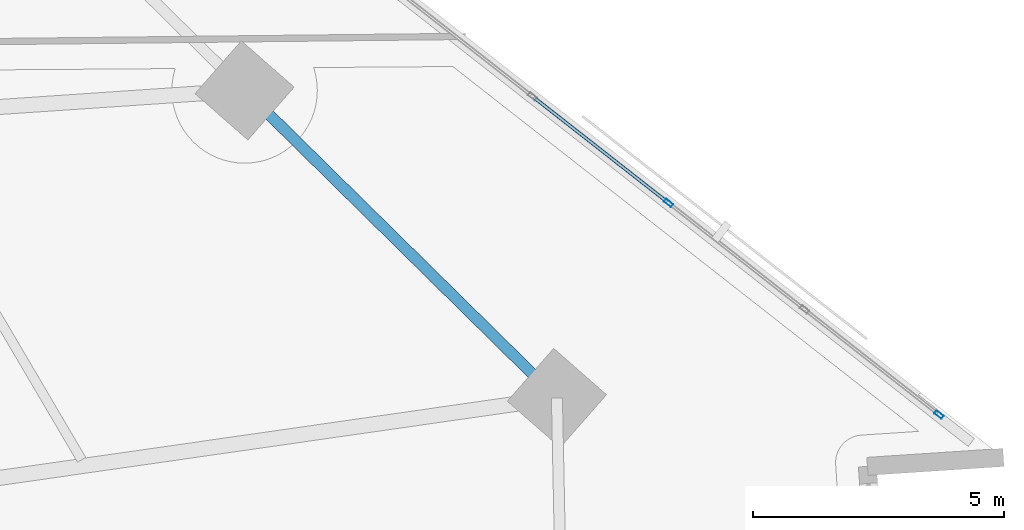
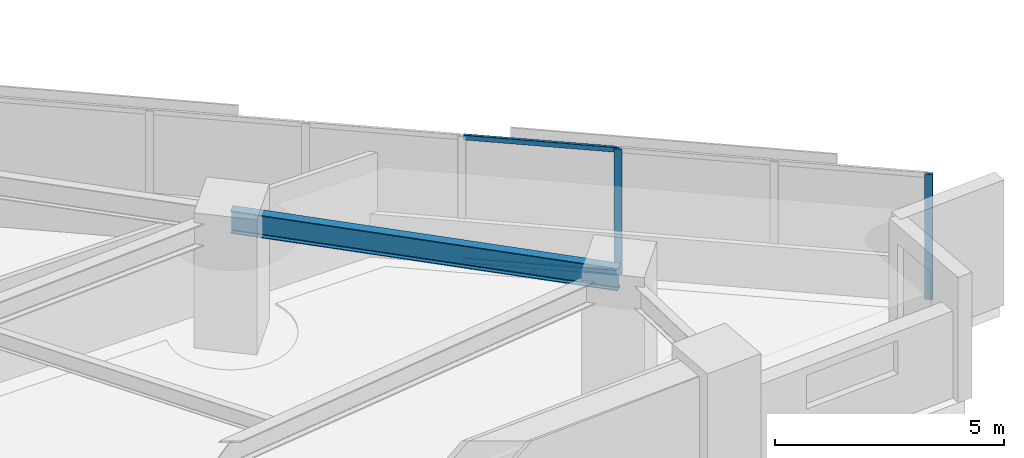
# One storey, part 4 of 17: 4 members, 1 beam, 1 element without a shape of its own.
"""IFC4 building model written with IfcOpenShell, lengths in metres."""

from ifc_helpers import new_model, si_unit, direction, frame, origin, origin_2d, place, context, subcontext, project, spatial, hollow_rectangle, i_section, extrude, material, material_profile, profile_set, type_object, element, aggregate, save


model = new_model("IFC4")

# Units and contexts
model_context = context("Model", 3, precision=1e-05, world=origin(), true_north=direction((0.0, 1.0)))
body_context = subcontext(model_context, "Body", "Model", "MODEL_VIEW")
ifc_project = project(units=[si_unit("LENGTHUNIT", "METRE"), si_unit("AREAUNIT", "SQUARE_METRE"), si_unit("VOLUMEUNIT", "CUBIC_METRE"), si_unit("PLANEANGLEUNIT", "RADIAN"), si_unit("MASSUNIT", "GRAM", prefix="KILO")], contexts=[model_context])

# Site, building, storey
site_placement = place(None, origin())
site = spatial("IfcSite", under=ifc_project, at=site_placement, CompositionType="ELEMENT")
building_placement = place(site_placement, origin())
building = spatial("IfcBuilding", under=site, at=building_placement, Name="Narakoshi Arena Tower", CompositionType="ELEMENT")
storey_placement = place(building_placement, frame((0.0, 0.0, 63.300048828125)))
storey = spatial("IfcBuildingStorey", under=building, at=storey_placement, Name="L16", CompositionType="ELEMENT", Elevation=63.300048828125)

# Beam
ifc_material_1 = material(Name="Structural steel S355J2", Category="steel")
ifc_material_profile_1 = material_profile(ifc_material_1, i_section(OverallWidth=0.219970703125, OverallDepth=0.60009765625, WebThickness=0.011962890625, FlangeThickness=0.01904296875, FilletRadius=0.02392578125, at=origin_2d()), Name="IPE600")
ifc_profile_set_1 = profile_set([ifc_material_profile_1], Name="Structural steel S355J2")
beam_type = type_object("IfcBeamType", Name="BM-EDGE-600", PredefinedType="BEAM", material=ifc_profile_set_1)
beam_placement = place(storey_placement, frame((113.21630859375, 38.669189453125, 3.0400390625), z_axis=(-0.712519972485, 0.701651828765, 0.0), x_axis=(-0.701651828765, -0.712519972485, 0.0)))
element("IfcBeam", 1, at=beam_placement, inside=storey, type_object=beam_type, Name="L16 Perimeter Edge Girder 05", PredefinedType="BEAM", context=body_context, shape_type="SweptSolid", body=[
    extrude(i_section(OverallWidth=0.219970703125, OverallDepth=0.60009765625, WebThickness=0.011962890625, FlangeThickness=0.01904296875, FilletRadius=0.02392578125, at=origin_2d()), origin(), (0.0, 0.0, 1.0), 8.738525390625),
])

# Curtain wall, members
ifc_material_2 = material(Name="Anodised bronze aluminium 6063-T6", Category="aluminium")
curtain_wall_type = type_object("IfcCurtainWallType", Name="CW-HYP-LOW", PredefinedType="NOTDEFINED", material=ifc_material_2)
curtain_wall_placement = place(storey_placement, origin())
curtain_wall = element("IfcCurtainWall", 2, at=curtain_wall_placement, inside=storey, type_object=curtain_wall_type, Name="L16 Folded Hypotenuse Curtain Wall 1-1", PredefinedType="NOTDEFINED")
ifc_material_profile_2 = material_profile(ifc_material_2, hollow_rectangle(XDim=0.074951171875, YDim=0.179931640625, WallThickness=0.00390625, OuterFilletRadius=0.0048828125, at=origin_2d()), Name="MUL180x75x4")
ifc_profile_set_2 = profile_set([ifc_material_profile_2], Name="Anodised bronze aluminium 6063-T6")
member_type_1 = type_object("IfcMemberType", Name="MEM-MUL-180", PredefinedType="MULLION", material=ifc_profile_set_2)
member_1_placement = place(storey_placement, frame((120.83251953125, 38.336181640625, 0.0), z_axis=(0.0, 0.0, 1.0), x_axis=(-0.616458234641, -0.787387607817, 0.0)))
member_1 = element("IfcMember", 3, at=member_1_placement, type_object=member_type_1, Name="CW-01 mullion 1", PredefinedType="MULLION", context=body_context, shape_type="SweptSolid", body=[
    extrude(hollow_rectangle(XDim=0.074951171875, YDim=0.179931640625, WallThickness=0.00390625, OuterFilletRadius=0.0048828125, at=origin_2d()), origin(), (0.0, 0.0, 1.0), 3.33984375),
])
member_2_placement = place(storey_placement, frame((115.43896484375, 42.558837890625, 0.0), z_axis=(0.0, 0.0, 1.0), x_axis=(-0.616458234641, -0.787387607817, 0.0)))
member_2 = element("IfcMember", 4, at=member_2_placement, type_object=member_type_1, Name="CW-01 mullion 3", PredefinedType="MULLION", context=body_context, shape_type="SweptSolid", body=[
    extrude(hollow_rectangle(XDim=0.074951171875, YDim=0.179931640625, WallThickness=0.00390625, OuterFilletRadius=0.0048828125, at=origin_2d()), origin(), (0.0, 0.0, 1.0), 3.33984375),
])
ifc_material_profile_3 = material_profile(ifc_material_2, hollow_rectangle(XDim=0.06494140625, YDim=0.1298828125, WallThickness=0.00390625, OuterFilletRadius=0.0048828125, at=origin_2d()), Name="TRN130x65x4")
ifc_profile_set_3 = profile_set([ifc_material_profile_3], Name="Anodised bronze aluminium 6063-T6")
member_type_2 = type_object("IfcMemberType", Name="MEM-TRN-130", PredefinedType="USERDEFINED", material=ifc_profile_set_3)
member_3_placement = place(storey_placement, frame((115.409423828125, 42.58203125, 0.032470703125), z_axis=(-0.787373456673, 0.616476309137, 0.0), x_axis=(-0.616476309137, -0.787373456673, 0.0)))
member_3 = element("IfcMember", 5, at=member_3_placement, type_object=member_type_2, Name="CW-01 transom 3.1", ObjectType="TRANSOM", PredefinedType="USERDEFINED", context=body_context, shape_type="SweptSolid", body=[
    extrude(hollow_rectangle(XDim=0.06494140625, YDim=0.1298828125, WallThickness=0.00390625, OuterFilletRadius=0.0048828125, at=origin_2d()), origin(), (0.0, 0.0, 1.0), 3.36865234375),
])
member_4_placement = place(storey_placement, frame((115.409423828125, 42.58203125, 3.307373046875), z_axis=(-0.787373456673, 0.616476309137, 0.0), x_axis=(-0.616476309137, -0.787373456673, 0.0)))
member_4 = element("IfcMember", 6, at=member_4_placement, type_object=member_type_2, Name="CW-01 transom 3.2", ObjectType="TRANSOM", PredefinedType="USERDEFINED", context=body_context, shape_type="SweptSolid", body=[
    extrude(hollow_rectangle(XDim=0.06494140625, YDim=0.1298828125, WallThickness=0.00390625, OuterFilletRadius=0.0048828125, at=origin_2d()), origin(), (0.0, 0.0, 1.0), 3.36865234375),
])
aggregate(curtain_wall, [member_1, member_2, member_3, member_4])

save(model, "model.ifc")
